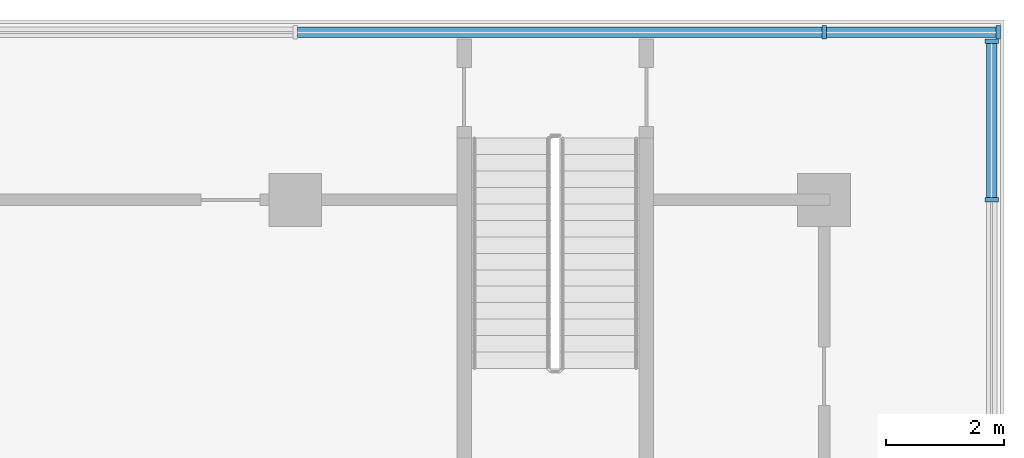
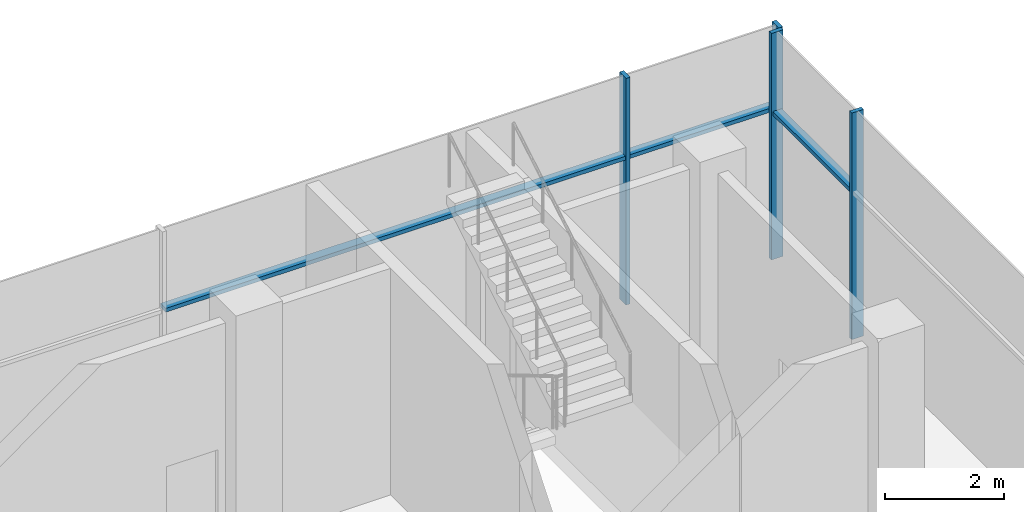
# One storey, part 9 of 22: 7 members, 2 elements without a shape of their own.
"""IFC4 building model written with IfcOpenShell, lengths in metres."""

from ifc_helpers import new_model, si_unit, direction, frame, origin, origin_2d, place, context, subcontext, project, spatial, rectangle, extrude, material, material_profile, profile_set, type_object, element, aggregate, save


model = new_model("IFC4")

# Units and contexts
model_context = context("Model", 3, precision=1e-05, world=origin(), true_north=direction((0.0, 1.0)))
body_context = subcontext(model_context, "Body", "Model", "MODEL_VIEW")
ifc_project = project(units=[si_unit("LENGTHUNIT", "METRE"), si_unit("AREAUNIT", "SQUARE_METRE"), si_unit("VOLUMEUNIT", "CUBIC_METRE"), si_unit("PLANEANGLEUNIT", "RADIAN"), si_unit("MASSUNIT", "GRAM", prefix="KILO")], contexts=[model_context])

# Site, building, storey
site_placement = place(None, origin())
site = spatial("IfcSite", under=ifc_project, at=site_placement, CompositionType="ELEMENT")
building_placement = place(site_placement, origin())
building = spatial("IfcBuilding", under=site, at=building_placement, Name="Finial Court Residences", CompositionType="ELEMENT")
storey_placement = place(building_placement, frame((0.0, 0.0, 13.5)))
storey = spatial("IfcBuildingStorey", under=building, at=storey_placement, Name="L02", CompositionType="ELEMENT", Elevation=13.5)

# Curtain wall, members
ifc_material = material(Name="Bronze anodised aluminium", Category="aluminium")
curtain_wall_type = type_object("IfcCurtainWallType", Name="Podium curtain wall", PredefinedType="NOTDEFINED", material=ifc_material)
curtain_wall_1_placement = place(storey_placement, origin())
curtain_wall_1 = element("IfcCurtainWall", 1, at=curtain_wall_1_placement, inside=storey, type_object=curtain_wall_type, Name="E-L02-CW-N1", PredefinedType="NOTDEFINED")
ifc_material_profile_1 = material_profile(ifc_material, rectangle(XDim=0.22509765625, YDim=0.080078125, at=origin_2d()), Name="CW5 mullion 80 x 225")
ifc_profile_set_1 = profile_set([ifc_material_profile_1], Name="Bronze anodised aluminium")
member_type_1 = type_object("IfcMemberType", Name="CW5 mullion 80 x 225", PredefinedType="MULLION", material=ifc_profile_set_1)
member_1_placement = place(storey_placement, frame((58.5, 34.35009765625, 0.0), z_axis=(0.0, 0.0, 1.0), x_axis=(0.0, 1.0, 0.0)))
member_1 = element("IfcMember", 2, at=member_1_placement, type_object=member_type_1, Name="CW5 mullion 14", PredefinedType="MULLION", context=body_context, shape_type="SweptSolid", body=[
    extrude(rectangle(XDim=0.22509765625, YDim=0.080078125, at=origin_2d()), origin(), (0.0, 0.0, 1.0), 4.64990234375),
])
member_2_placement = place(storey_placement, frame((61.4599609375, 34.35009765625, 0.0), z_axis=(0.0, 0.0, 1.0), x_axis=(0.0, 1.0, 0.0)))
member_2 = element("IfcMember", 3, at=member_2_placement, type_object=member_type_1, Name="CW5 mullion 15", PredefinedType="MULLION", context=body_context, shape_type="SweptSolid", body=[
    extrude(rectangle(XDim=0.22509765625, YDim=0.080078125, at=origin_2d()), origin(), (0.0, 0.0, 1.0), 4.64990234375),
])

curtain_wall_2_placement = place(storey_placement, origin())
curtain_wall_2 = element("IfcCurtainWall", 4, at=curtain_wall_2_placement, inside=storey, type_object=curtain_wall_type, Name="E-L02-CW-E2", PredefinedType="NOTDEFINED")
member_3_placement = place(storey_placement, frame((61.35009765625, 31.5, 0.0), z_axis=(0.0, 0.0, 1.0), x_axis=(-1.0, 0.0, 0.0)))
member_3 = element("IfcMember", 5, at=member_3_placement, type_object=member_type_1, Name="CW5 mullion 11", PredefinedType="MULLION", context=body_context, shape_type="SweptSolid", body=[
    extrude(rectangle(XDim=0.22509765625, YDim=0.080078125, at=origin_2d()), origin(), (0.0, 0.0, 1.0), 4.64990234375),
])
member_4_placement = place(storey_placement, frame((61.35009765625, 34.197509765625, 0.0), z_axis=(0.0, 0.0, 1.0), x_axis=(-1.0, 0.0, 0.0)))
member_4 = element("IfcMember", 6, at=member_4_placement, type_object=member_type_1, Name="CW5 mullion 12", PredefinedType="MULLION", context=body_context, shape_type="SweptSolid", body=[
    extrude(rectangle(XDim=0.22509765625, YDim=0.080078125, at=origin_2d()), origin(), (0.0, 0.0, 1.0), 4.64990234375),
])

# Member
ifc_material_profile_2 = material_profile(ifc_material, rectangle(XDim=0.175048828125, YDim=0.080078125, at=origin_2d()), Name="CW5 transom 80 x 175")
ifc_profile_set_2 = profile_set([ifc_material_profile_2], Name="Bronze anodised aluminium")
member_type_2 = type_object("IfcMemberType", Name="CW5 transom 80 x 175", PredefinedType="USERDEFINED", material=ifc_profile_set_2)
member_5_placement = place(storey_placement, frame((49.5400390625, 34.35009765625, 3.0), z_axis=(1.0, 0.0, 0.0), x_axis=(0.0, 1.0, 0.0)))
member_5 = element("IfcMember", 7, at=member_5_placement, type_object=member_type_2, Name="CW5 transom 13.1", ObjectType="TRANSOM", PredefinedType="USERDEFINED", context=body_context, shape_type="SweptSolid", body=[
    extrude(rectangle(XDim=0.175048828125, YDim=0.080078125, at=origin_2d()), origin(), (0.0, 0.0, 1.0), 8.919921875),
])

member_6_placement = place(storey_placement, frame((58.5400390625, 34.35009765625, 3.0), z_axis=(1.0, 0.0, 0.0), x_axis=(0.0, 1.0, 0.0)))
member_6 = element("IfcMember", 8, at=member_6_placement, type_object=member_type_2, Name="CW5 transom 14.1", ObjectType="TRANSOM", PredefinedType="USERDEFINED", context=body_context, shape_type="SweptSolid", body=[
    extrude(rectangle(XDim=0.175048828125, YDim=0.080078125, at=origin_2d()), origin(), (0.0, 0.0, 1.0), 2.8798828125),
])

aggregate(curtain_wall_1, [member_1, member_2, member_5, member_6])

member_7_placement = place(storey_placement, frame((61.35009765625, 31.5400390625, 3.0), z_axis=(0.0, 1.0, 0.0), x_axis=(-1.0, 0.0, 0.0)))
member_7 = element("IfcMember", 9, at=member_7_placement, type_object=member_type_2, Name="CW5 transom 11.1", ObjectType="TRANSOM", PredefinedType="USERDEFINED", context=body_context, shape_type="SweptSolid", body=[
    extrude(rectangle(XDim=0.175048828125, YDim=0.080078125, at=origin_2d()), origin(), (0.0, 0.0, 1.0), 2.617431640625),
])

aggregate(curtain_wall_2, [member_3, member_4, member_7])

save(model, "model.ifc")
